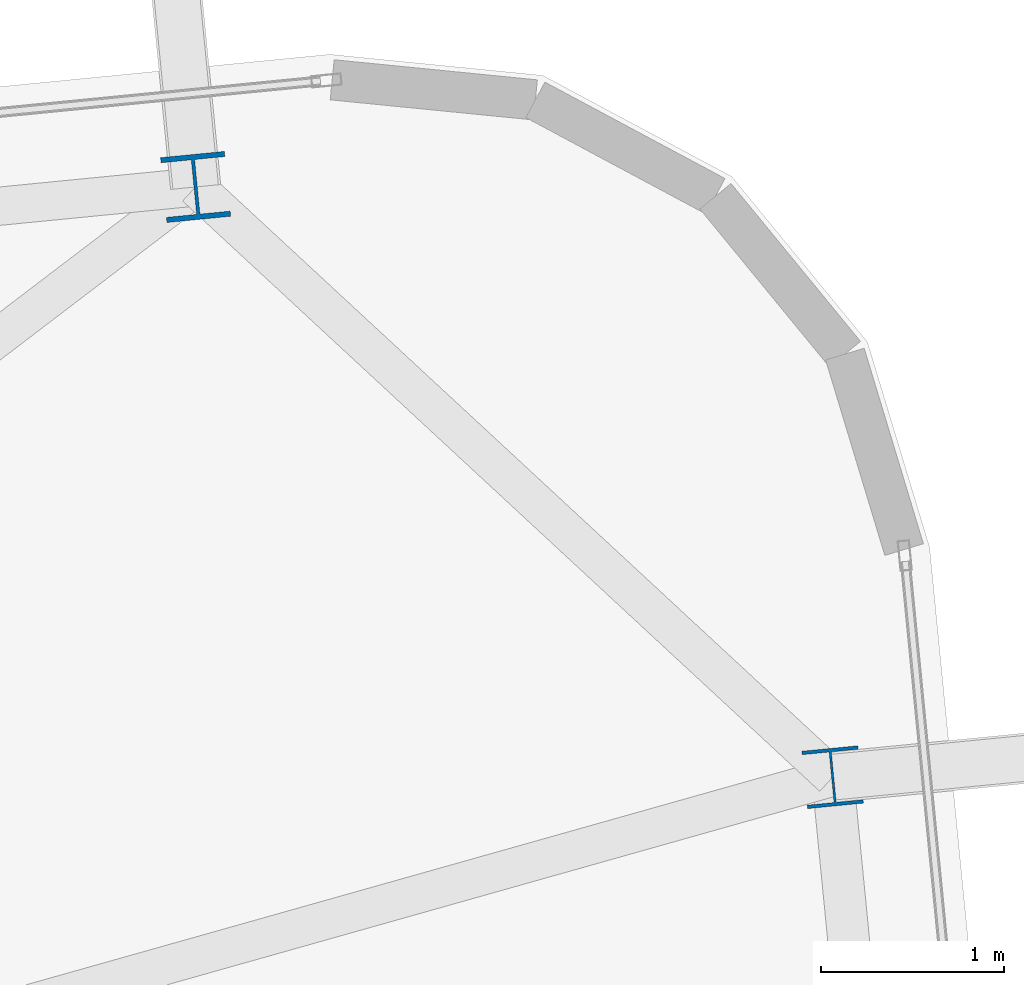
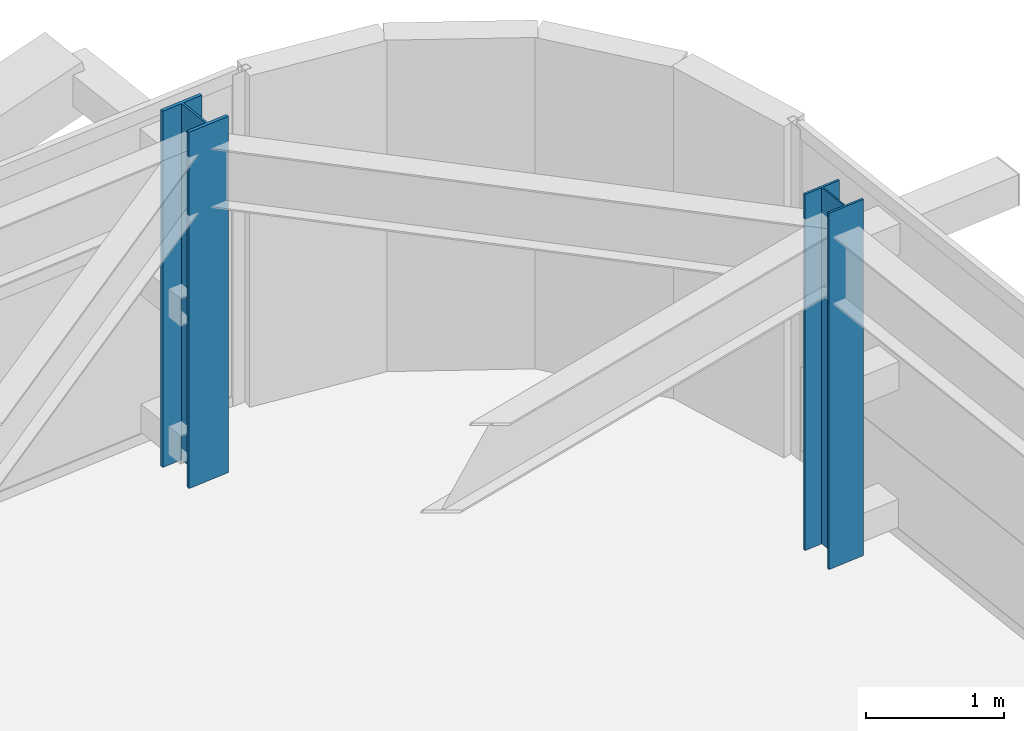
# One storey, part 4 of 54: 2 columns.
"""IFC4 building model written with IfcOpenShell, lengths in metres."""

from ifc_helpers import new_model, si_unit, direction, frame, origin, origin_2d, place, context, subcontext, project, spatial, i_section, extrude, source, transform, mapped, material, material_profile, profile_set, type_object, element, save


model = new_model("IFC4")

# Units and contexts
model_context = context("Model", 3, precision=1e-05, world=origin(), true_north=direction((0.0, 1.0)))
body_context = subcontext(model_context, "Body", "Model", "MODEL_VIEW")
ifc_project = project(units=[si_unit("LENGTHUNIT", "METRE"), si_unit("AREAUNIT", "SQUARE_METRE"), si_unit("VOLUMEUNIT", "CUBIC_METRE"), si_unit("PLANEANGLEUNIT", "RADIAN"), si_unit("MASSUNIT", "GRAM", prefix="KILO")], contexts=[model_context])

# Site, building, storey
site_placement = place(None, origin())
site = spatial("IfcSite", under=ifc_project, at=site_placement, CompositionType="ELEMENT")
building_placement = place(site_placement, origin())
building = spatial("IfcBuilding", under=site, at=building_placement, Name="Taldren Reach Tower", CompositionType="ELEMENT")
storey_placement = place(building_placement, frame((0.0, 0.0, 99.75)))
storey = spatial("IfcBuildingStorey", under=building, at=storey_placement, Name="L30", CompositionType="ELEMENT", Elevation=99.75)

# Columns
ifc_material = material(Name="Steel Gr 350 (350PLUS)", Category="steel")
ifc_material_profile_1 = material_profile(ifc_material, i_section(OverallWidth=0.35009765625, OverallDepth=0.35595703125, WebThickness=0.01806640625, FlangeThickness=0.028076171875, at=origin_2d()), Name="350WC197")
ifc_profile_set_1 = profile_set([ifc_material_profile_1], Name="Steel Gr 350 (350PLUS)")
column_type_1 = type_object("IfcColumnType", Name="COL-WC350", PredefinedType="COLUMN", material=ifc_profile_set_1)
shared_shape_1 = source(origin(), body_context, "Body", "SweptSolid", [
    extrude(i_section(OverallWidth=0.35009765625, OverallDepth=0.35595703125, WebThickness=0.01806640625, FlangeThickness=0.028076171875, at=origin_2d()), origin(), (0.0, 0.0, 1.0), 3.14990234375),
])
column_1_placement = place(storey_placement, frame((59.765869140625, 38.679931640625, 0.0), z_axis=(0.0, 0.0, 1.0), x_axis=(0.995227399982, 0.097582899759, 0.0)))
element("IfcColumn", 1, at=column_1_placement, inside=storey, type_object=column_type_1, Name="Block B2 perimeter column N6 L30", PredefinedType="COLUMN", context=body_context, shape_type="MappedRepresentation", body=[
    mapped(shared_shape_1, transform((0.0, 0.0, 0.0), scale=1.0)),
])
ifc_material_profile_2 = material_profile(ifc_material, i_section(OverallWidth=0.306884765625, OverallDepth=0.31494140625, WebThickness=0.011962890625, FlangeThickness=0.018798828125, at=origin_2d()), Name="310UC118")
ifc_profile_set_2 = profile_set([ifc_material_profile_2], Name="Steel Gr 350 (350PLUS)")
column_type_2 = type_object("IfcColumnType", Name="COL-UC310B", PredefinedType="COLUMN", material=ifc_profile_set_2)
shared_shape_2 = source(origin(), body_context, "Body", "SweptSolid", [
    extrude(i_section(OverallWidth=0.306884765625, OverallDepth=0.31494140625, WebThickness=0.011962890625, FlangeThickness=0.018798828125, at=origin_2d()), origin(), (0.0, 0.0, 1.0), 3.14990234375),
])
column_2_placement = place(storey_placement, frame((63.247314453125, 35.454345703125, 0.0), z_axis=(0.0, 0.0, 1.0), x_axis=(0.995227399982, 0.097582899759, 0.0)))
element("IfcColumn", 2, at=column_2_placement, inside=storey, type_object=column_type_2, Name="Block B2 perimeter column E3 L30", PredefinedType="COLUMN", context=body_context, shape_type="MappedRepresentation", body=[
    mapped(shared_shape_2, transform((0.0, 0.0, 0.0), scale=1.0)),
])

save(model, "model.ifc")
